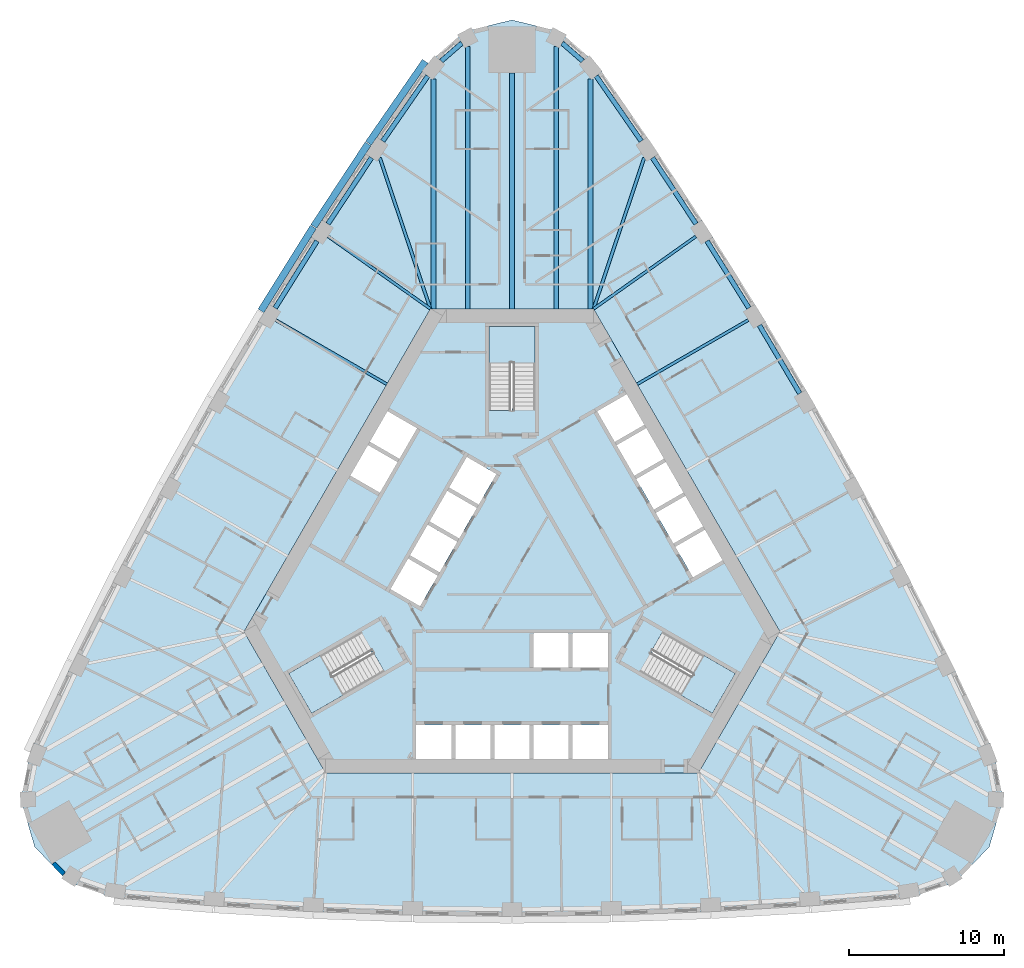
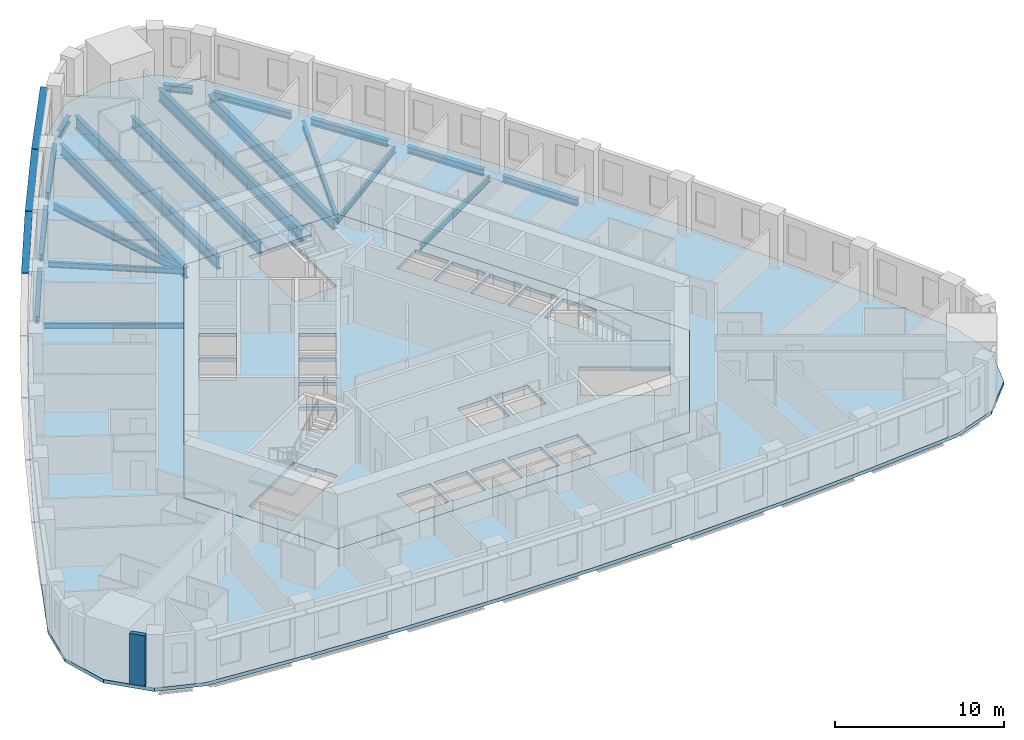
# One storey, part 2 of 13: 20 beams, 5 slabs, 3 members, 1 wall, 3 elements without a shape of their own.
"""IFC4 building model written with IfcOpenShell, lengths in metres."""

from ifc_helpers import new_model, si_unit, direction, frame, frame_2d, origin, origin_2d, place, context, subcontext, project, spatial, polyline, rectangle, i_section, outline, extrude, material, layer, layer_set, material_profile, profile_set, type_object, element, aggregate, save


model = new_model("IFC4")

# Units and contexts
model_context = context("Model", 3, precision=1e-05, world=origin(), true_north=direction((0.0, 1.0)))
body_context = subcontext(model_context, "Body", "Model", "MODEL_VIEW")
ifc_project = project(units=[si_unit("LENGTHUNIT", "METRE"), si_unit("AREAUNIT", "SQUARE_METRE"), si_unit("VOLUMEUNIT", "CUBIC_METRE"), si_unit("PLANEANGLEUNIT", "RADIAN"), si_unit("MASSUNIT", "GRAM", prefix="KILO")], contexts=[model_context])

# Site, building, storey
site_placement = place(None, origin())
site = spatial("IfcSite", under=ifc_project, at=site_placement, CompositionType="ELEMENT")
building_placement = place(site_placement, origin())
building = spatial("IfcBuilding", under=site, at=building_placement, Name="Mestral Congress Tower", CompositionType="ELEMENT")
storey_placement = place(building_placement, frame((0.0, 0.0, 91.5)))
storey = spatial("IfcBuildingStorey", under=building, at=storey_placement, Name="L21", CompositionType="ELEMENT", Elevation=91.5)

# Members
ifc_material_1 = material(Name="Glazed ceramic", Category="masonry")
ifc_material_profile_1 = material_profile(ifc_material_1, rectangle(XDim=0.449951171875, YDim=0.06005859375, at=origin_2d()), Name="Ceramic blade 450 x 60")
ifc_profile_set_1 = profile_set([ifc_material_profile_1], Name="Glazed ceramic")
member_type = type_object("IfcMemberType", Name="Facade sunshade blade 450 x 60", PredefinedType="USERDEFINED", material=ifc_profile_set_1)
member_placement = place(storey_placement, frame((-5.590576171875, 32.8505859375, 3.280029296875), z_axis=(-0.569144736399, -0.822237355652, 0.0), x_axis=(0.822237355652, -0.569144736399, 0.0)))
element("IfcMember", 1, at=member_placement, inside=storey, type_object=member_type, Name="Sunshade F2-00", ObjectType="SUNSHADE", PredefinedType="USERDEFINED", context=body_context, shape_type="SweptSolid", body=[
    extrude(rectangle(XDim=0.449951171875, YDim=0.06005859375, at=origin_2d()), origin(), (0.0, 0.0, 1.0), 6.421630859375),
])
for number, where, z_axis, x_axis, name in (
    (2, (-9.2705078125, 27.532958984375, 3.280029296875), (-0.549764307833, -0.835319822483, 0.0), (0.835319822483, -0.549764307833, 0.0), "Sunshade F2-01"),
    (3, (-12.797119140625, 22.173583984375, 3.280029296875), (-0.530060946156, -0.847959547007, 0.0), (0.847959547007, -0.530060946156, 0.0), "Sunshade F2-02"),
):
    element("IfcMember", number, at=place(storey_placement, frame(where, z_axis=z_axis, x_axis=x_axis)), inside=storey, type_object=member_type, Name=name, ObjectType="SUNSHADE", PredefinedType="USERDEFINED", context=body_context, shape_type="SweptSolid", body=[
        extrude(rectangle(XDim=0.449951171875, YDim=0.06005859375, at=origin_2d()), origin(), (0.0, 0.0, 1.0), 6.370361328125),
    ])

# Beams
ifc_material_2 = material(Name="Steel S355", Category="steel")
ifc_material_profile_2 = material_profile(ifc_material_2, i_section(OverallWidth=0.300048828125, OverallDepth=0.800048828125, WebThickness=0.017578125, FlangeThickness=0.032958984375, FilletRadius=0.030029296875, at=origin_2d()), Name="HEB 800")
ifc_profile_set_2 = profile_set([ifc_material_profile_2], Name="Steel S355")
beam_type_1 = type_object("IfcBeamType", Name="Floor beam HEB 800 S355", PredefinedType="BEAM", material=ifc_profile_set_2)
beam_1_placement = place(storey_placement, frame((5.056396484375, 31.72412109375, -0.64990234375), z_axis=(0.0, -1.0, 0.0), x_axis=(1.0, 0.0, 0.0)))
element("IfcBeam", 4, at=beam_1_placement, inside=storey, type_object=beam_type_1, Name="BM-L21-RB2-E08", PredefinedType="BEAM", context=body_context, shape_type="SweptSolid", body=[
    extrude(i_section(OverallWidth=0.300048828125, OverallDepth=0.800048828125, WebThickness=0.017578125, FlangeThickness=0.032958984375, FilletRadius=0.030029296875, at=origin_2d()), origin(), (0.0, 0.0, 1.0), 14.82421875),
])
beam_2_placement = place(storey_placement, frame((0.0, 32.098388671875, -0.64990234375), z_axis=(0.0, -1.0, 0.0), x_axis=(1.0, 0.0, 0.0)))
element("IfcBeam", 5, at=beam_2_placement, inside=storey, type_object=beam_type_1, Name="BM-L21-RB2-N", PredefinedType="BEAM", context=body_context, shape_type="SweptSolid", body=[
    extrude(i_section(OverallWidth=0.300048828125, OverallDepth=0.800048828125, WebThickness=0.017578125, FlangeThickness=0.032958984375, FilletRadius=0.030029296875, at=origin_2d()), origin(), (0.0, 0.0, 1.0), 15.198486328125),
])
beam_3_placement = place(storey_placement, frame((-5.056396484375, 31.72412109375, -0.64990234375), z_axis=(0.0, -1.0, 0.0), x_axis=(1.0, 0.0, 0.0)))
element("IfcBeam", 6, at=beam_3_placement, inside=storey, type_object=beam_type_1, Name="BM-L21-RB2-W00", PredefinedType="BEAM", context=body_context, shape_type="SweptSolid", body=[
    extrude(i_section(OverallWidth=0.300048828125, OverallDepth=0.800048828125, WebThickness=0.017578125, FlangeThickness=0.032958984375, FilletRadius=0.030029296875, at=origin_2d()), origin(), (0.0, 0.0, 1.0), 14.82421875),
])
ifc_material_profile_3 = material_profile(ifc_material_2, i_section(OverallWidth=0.300048828125, OverallDepth=0.89990234375, WebThickness=0.0185546875, FlangeThickness=0.034912109375, FilletRadius=0.030029296875, at=origin_2d()), Name="HEB 900")
ifc_profile_set_3 = profile_set([ifc_material_profile_3], Name="Steel S355")
beam_type_2 = type_object("IfcBeamType", Name="Floor beam HEB 900 S355", PredefinedType="BEAM", material=ifc_profile_set_3)
for number, where, z_axis, x_axis, name in (
    (7, (2.845703125, 33.794189453125, -0.699951171875), (0.0, -1.0, 0.0), (1.0, 0.0, 0.0), "BM-L21-RB2-N1"),
    (8, (-2.845703125, 33.794189453125, -0.699951171875), (0.0, -1.0, 0.0), (1.0, 0.0, 0.0), "BM-L21-RB2-N3"),
):
    element("IfcBeam", number, at=place(storey_placement, frame(where, z_axis=z_axis, x_axis=x_axis)), inside=storey, type_object=beam_type_2, Name=name, PredefinedType="BEAM", context=body_context, shape_type="SweptSolid", body=[
        extrude(i_section(OverallWidth=0.300048828125, OverallDepth=0.89990234375, WebThickness=0.0185546875, FlangeThickness=0.034912109375, FilletRadius=0.030029296875, at=origin_2d()), origin(), (0.0, 0.0, 1.0), 16.894287109375),
    ])
ifc_material_profile_4 = material_profile(ifc_material_2, i_section(OverallWidth=0.179931640625, OverallDepth=0.39990234375, WebThickness=0.008544921875, FlangeThickness=0.013427734375, FilletRadius=0.02099609375, at=origin_2d()), Name="IPE 400")
ifc_profile_set_4 = profile_set([ifc_material_profile_4], Name="Steel S355")
beam_type_3 = type_object("IfcBeamType", Name="Floor beam IPE 400 S355", PredefinedType="BEAM", material=ifc_profile_set_4)
beam_4_placement = place(storey_placement, frame((15.219482421875, 16.176513671875, -0.449951171875), z_axis=(-0.866015952286, -0.500016370119, 0.0), x_axis=(0.500016370119, -0.866015952286, 0.0)))
element("IfcBeam", 9, at=beam_4_placement, inside=storey, type_object=beam_type_3, Name="BM-L21-RB2-E05", PredefinedType="BEAM", context=body_context, shape_type="SweptSolid", body=[
    extrude(i_section(OverallWidth=0.179931640625, OverallDepth=0.39990234375, WebThickness=0.008544921875, FlangeThickness=0.013427734375, FilletRadius=0.02099609375, at=origin_2d()), origin(), (0.0, 0.0, 1.0), 8.268798828125),
])
for number, where, z_axis, x_axis, name in (
    (10, (11.849365234375, 21.568115234375, -0.449951171875), (-0.816232852676, -0.577723056673, 0.0), (0.577723056673, -0.816232852676, 0.0), "BM-L21-RB2-E06"),
    (11, (-11.849365234375, 21.568115234375, -0.449951171875), (0.816232852676, -0.577723056673, 0.0), (0.577723056673, 0.816232852676, 0.0), "BM-L21-RB2-W02"),
):
    element("IfcBeam", number, at=place(storey_placement, frame(where, z_axis=z_axis, x_axis=x_axis)), inside=storey, type_object=beam_type_3, Name=name, PredefinedType="BEAM", context=body_context, shape_type="SweptSolid", body=[
        extrude(i_section(OverallWidth=0.179931640625, OverallDepth=0.39990234375, WebThickness=0.008544921875, FlangeThickness=0.013427734375, FilletRadius=0.02099609375, at=origin_2d()), origin(), (0.0, 0.0, 1.0), 8.080322265625),
    ])
beam_5_placement = place(storey_placement, frame((-15.219482421875, 16.176513671875, -0.449951171875), z_axis=(0.866015952286, -0.500016370119, 0.0), x_axis=(0.500016370119, 0.866015952286, 0.0)))
element("IfcBeam", 12, at=beam_5_placement, inside=storey, type_object=beam_type_3, Name="BM-L21-RB2-W03", PredefinedType="BEAM", context=body_context, shape_type="SweptSolid", body=[
    extrude(i_section(OverallWidth=0.179931640625, OverallDepth=0.39990234375, WebThickness=0.008544921875, FlangeThickness=0.013427734375, FilletRadius=0.02099609375, at=origin_2d()), origin(), (0.0, 0.0, 1.0), 8.268798828125),
])
ifc_material_profile_5 = material_profile(ifc_material_2, i_section(OverallWidth=0.199951171875, OverallDepth=0.5, WebThickness=0.01025390625, FlangeThickness=0.01611328125, FilletRadius=0.02099609375, at=origin_2d()), Name="IPE 500")
ifc_profile_set_5 = profile_set([ifc_material_profile_5], Name="Steel S355")
beam_type_4 = type_object("IfcBeamType", Name="Floor beam IPE 500 S355", PredefinedType="BEAM", material=ifc_profile_set_5)
for number, where, z_axis, x_axis, name in (
    (13, (8.5185546875, 26.636962890625, -0.5), (-0.317888994992, -0.948127938025, 0.0), (0.948127938025, -0.317888994992, 0.0), "BM-L21-RB2-E07"),
    (14, (-8.5185546875, 26.636962890625, -0.5), (0.317888994992, -0.948127938025, 0.0), (0.948127938025, 0.317888994992, 0.0), "BM-L21-RB2-W01"),
):
    element("IfcBeam", number, at=place(storey_placement, frame(where, z_axis=z_axis, x_axis=x_axis)), inside=storey, type_object=beam_type_4, Name=name, PredefinedType="BEAM", context=body_context, shape_type="SweptSolid", body=[
        extrude(i_section(OverallWidth=0.199951171875, OverallDepth=0.5, WebThickness=0.01025390625, FlangeThickness=0.01611328125, FilletRadius=0.02099609375, at=origin_2d()), origin(), (0.0, 0.0, 1.0), 10.269775390625),
    ])
ifc_material_profile_6 = material_profile(ifc_material_2, i_section(OverallWidth=0.300048828125, OverallDepth=0.489990234375, WebThickness=0.011962890625, FlangeThickness=0.02294921875, FilletRadius=0.027099609375, at=origin_2d()), Name="HEA 500")
ifc_profile_set_6 = profile_set([ifc_material_profile_6], Name="Steel S355")
beam_type_5 = type_object("IfcBeamType", Name="Spandrel beam HEA 500 S355", PredefinedType="BEAM", material=ifc_profile_set_6)
for number, where, z_axis, x_axis, name in (
    (15, (18.542236328125, 11.455810546875, -0.4951171875), (-0.510081870963, 0.860125854114, 0.0), (-0.860125854114, -0.510081870963, 0.0), "SP-L21-SB2-E04"),
    (16, (15.2646484375, 16.95263671875, -0.4951171875), (-0.530046273959, 0.847968718446, 0.0), (-0.847968718446, -0.530046273959, 0.0), "SP-L21-SB2-E05"),
):
    element("IfcBeam", number, at=place(storey_placement, frame(where, z_axis=z_axis, x_axis=x_axis)), inside=storey, type_object=beam_type_5, Name=name, PredefinedType="BEAM", context=body_context, shape_type="SweptSolid", body=[
        extrude(i_section(OverallWidth=0.300048828125, OverallDepth=0.489990234375, WebThickness=0.011962890625, FlangeThickness=0.02294921875, FilletRadius=0.027099609375, at=origin_2d()), origin(), (0.0, 0.0, 1.0), 5.099853515625),
    ])
beam_6_placement = place(storey_placement, frame((11.859619140625, 22.371337890625, -0.4951171875), z_axis=(-0.549729920898, 0.835342453171, 0.0), x_axis=(-0.835342453171, -0.549729920898, 0.0)))
element("IfcBeam", 17, at=beam_6_placement, inside=storey, type_object=beam_type_5, Name="SP-L21-SB2-E06", PredefinedType="BEAM", context=body_context, shape_type="SweptSolid", body=[
    extrude(i_section(OverallWidth=0.300048828125, OverallDepth=0.489990234375, WebThickness=0.011962890625, FlangeThickness=0.02294921875, FilletRadius=0.027099609375, at=origin_2d()), origin(), (0.0, 0.0, 1.0), 5.099609375),
])
beam_7_placement = place(storey_placement, frame((8.32861328125, 27.708740234375, -0.4951171875), z_axis=(-0.569105377225, 0.822264598298, 0.0), x_axis=(-0.822264598298, -0.569105377225, 0.0)))
element("IfcBeam", 18, at=beam_7_placement, inside=storey, type_object=beam_type_5, Name="SP-L21-SB2-E07", PredefinedType="BEAM", context=body_context, shape_type="SweptSolid", body=[
    extrude(i_section(OverallWidth=0.300048828125, OverallDepth=0.489990234375, WebThickness=0.011962890625, FlangeThickness=0.02294921875, FilletRadius=0.027099609375, at=origin_2d()), origin(), (0.0, 0.0, 1.0), 5.09765625),
])
for number, where, z_axis, x_axis, name in (
    (19, (4.558349609375, 32.869140625, -0.4951171875), (-0.754917058401, 0.655820276398, 0.0), (-0.655820276398, -0.754917058401, 0.0), "SP-L21-SB2-E08"),
    (20, (-3.234130859375, 34.01953125, -0.4951171875), (-0.754917058401, -0.655820276398, 0.0), (0.655820276398, -0.754917058401, 0.0), "SP-L21-SB2-N3"),
):
    element("IfcBeam", number, at=place(storey_placement, frame(where, z_axis=z_axis, x_axis=x_axis)), inside=storey, type_object=beam_type_5, Name=name, PredefinedType="BEAM", context=body_context, shape_type="SweptSolid", body=[
        extrude(i_section(OverallWidth=0.300048828125, OverallDepth=0.489990234375, WebThickness=0.011962890625, FlangeThickness=0.02294921875, FilletRadius=0.027099609375, at=origin_2d()), origin(), (0.0, 0.0, 1.0), 1.754150390625),
    ])
beam_8_placement = place(storey_placement, frame((-5.427490234375, 31.900390625, -0.4951171875), z_axis=(-0.569105377225, -0.822264598298, 0.0), x_axis=(0.822264598298, -0.569105377225, 0.0)))
element("IfcBeam", 21, at=beam_8_placement, inside=storey, type_object=beam_type_5, Name="SP-L21-SB2-W00", PredefinedType="BEAM", context=body_context, shape_type="SweptSolid", body=[
    extrude(i_section(OverallWidth=0.300048828125, OverallDepth=0.489990234375, WebThickness=0.011962890625, FlangeThickness=0.02294921875, FilletRadius=0.027099609375, at=origin_2d()), origin(), (0.0, 0.0, 1.0), 5.09765625),
])
beam_9_placement = place(storey_placement, frame((-9.05615234375, 26.63134765625, -0.4951171875), z_axis=(-0.549729920898, -0.835342453171, 0.0), x_axis=(0.835342453171, -0.549729920898, 0.0)))
element("IfcBeam", 22, at=beam_9_placement, inside=storey, type_object=beam_type_5, Name="SP-L21-SB2-W01", PredefinedType="BEAM", context=body_context, shape_type="SweptSolid", body=[
    extrude(i_section(OverallWidth=0.300048828125, OverallDepth=0.489990234375, WebThickness=0.011962890625, FlangeThickness=0.02294921875, FilletRadius=0.027099609375, at=origin_2d()), origin(), (0.0, 0.0, 1.0), 5.099609375),
])
beam_10_placement = place(storey_placement, frame((-12.5615234375, 21.277099609375, -0.4951171875), z_axis=(-0.530046273959, -0.847968718446, 0.0), x_axis=(0.847968718446, -0.530046273959, 0.0)))
element("IfcBeam", 23, at=beam_10_placement, inside=storey, type_object=beam_type_5, Name="SP-L21-SB2-W02", PredefinedType="BEAM", context=body_context, shape_type="SweptSolid", body=[
    extrude(i_section(OverallWidth=0.300048828125, OverallDepth=0.489990234375, WebThickness=0.011962890625, FlangeThickness=0.02294921875, FilletRadius=0.027099609375, at=origin_2d()), origin(), (0.0, 0.0, 1.0), 5.099853515625),
])

# Slabs
ifc_material_3 = material(Name="Concrete C35/45", Category="concrete")
ifc_layer_1 = layer(ifc_material_3, 0.25)
ifc_layer_set_1 = layer_set([ifc_layer_1], Name="Concrete C35/45")
slab_type_1 = type_object("IfcSlabType", Name="Composite floor slab 250", PredefinedType="FLOOR", material=ifc_layer_set_1)
placement_1 = place(storey_placement, frame((0.0, 0.0, -0.25)))
element("IfcSlab", 24, at=placement_1, inside=storey, type_object=slab_type_1, Name="SL-L21", PredefinedType="FLOOR", context=body_context, shape_type="SweptSolid", body=[
    extrude(outline(polyline([(-25.656005859375, -21.041015625), (-28.581298828125, -20.03271484375), (-30.75390625, -17.755859375), (-31.639404296875, -14.73583984375), (-31.050048828125, -11.697998046875), (-28.28759765625, -5.856689453125), (-25.412109375, -0.12744140625), (-22.403564453125, 5.533203125), (-19.263671875, 11.121826171875), (-15.99365234375, 16.635498046875), (-12.595703125, 22.0712890625), (-9.07177734375, 27.426025390625), (-5.39404296875, 32.739013671875), (-3.05810546875, 34.768310546875), (0.0, 35.51171875), (3.05810546875, 34.768310546875), (5.39404296875, 32.739013671875), (9.07177734375, 27.426025390625), (12.595703125, 22.0712890625), (15.99365234375, 16.635498046875), (19.263671875, 11.121826171875), (22.403564453125, 5.533203125), (25.412109375, -0.12744140625), (28.28759765625, -5.856689453125), (31.050048828125, -11.697998046875), (31.639404296875, -14.73583984375), (30.75390625, -17.755859375), (28.581298828125, -20.03271484375), (25.656005859375, -21.041015625), (19.2158203125, -21.5693359375), (12.81640625, -21.94384765625), (6.409912109375, -22.168701171875), (0.0, -22.24365234375), (-6.409912109375, -22.168701171875), (-12.81640625, -21.94384765625), (-19.2158203125, -21.5693359375), (-25.656005859375, -21.041015625)]), holes=[polyline([(-5.25390625, 16.89990234375), (-17.2626953125, -3.89990234375), (-12.0087890625, -13.0), (12.0087890625, -13.0), (17.2626953125, -3.89990234375), (5.25390625, 16.89990234375), (-5.25390625, 16.89990234375)])]), origin(), (0.0, 0.0, 1.0), 0.25),
])
ifc_material_4 = material(Name="Concrete C60/75", Category="concrete")
ifc_layer_2 = layer(ifc_material_4, 0.25)
ifc_layer_set_2 = layer_set([ifc_layer_2], Name="Concrete C60/75")
slab_type_2 = type_object("IfcSlabType", Name="Core floor slab RC 250", PredefinedType="FLOOR", material=ifc_layer_set_2)
element("IfcSlab", 25, at=placement_1, inside=storey, type_object=slab_type_2, Name="L21 core floor", PredefinedType="FLOOR", context=body_context, shape_type="SweptSolid", body=[
    extrude(outline(polyline([(12.0087890625, -13.0), (-12.0087890625, -13.0), (-17.2626953125, -3.89990234375), (-5.25390625, 16.89990234375), (5.25390625, 16.89990234375), (17.2626953125, -3.89990234375), (12.0087890625, -13.0)]), holes=[polyline([(-3.905029296875, -9.89990234375), (-6.175048828125, -9.89990234375), (-6.175048828125, -12.10009765625), (-3.905029296875, -12.10009765625), (-3.905029296875, -9.89990234375)]), polyline([(-1.385009765625, -9.89990234375), (-3.655029296875, -9.89990234375), (-3.655029296875, -12.10009765625), (-1.385009765625, -12.10009765625), (-1.385009765625, -9.89990234375)]), polyline([(1.135009765625, -9.89990234375), (-1.135009765625, -9.89990234375), (-1.135009765625, -12.10009765625), (1.135009765625, -12.10009765625), (1.135009765625, -9.89990234375)]), polyline([(-9.0673828125, -5.235107421875), (-9.8046875, -3.95751953125), (-14.37744140625, -6.59765625), (-12.90234375, -9.15234375), (-8.234619140625, -6.45751953125), (-8.971923828125, -5.179931640625), (-9.0673828125, -5.235107421875)]), polyline([(-7.826904296875, -1.156494140625), (-5.921630859375, -2.256591796875), (-4.78662109375, -0.29052734375), (-6.69189453125, 0.809326171875), (-7.826904296875, -1.156494140625)]), polyline([(-4.66162109375, -0.07421875), (-3.526611328125, 1.8916015625), (-5.431884765625, 2.99169921875), (-6.56689453125, 1.02587890625), (-4.66162109375, -0.07421875)]), polyline([(-3.401611328125, 2.1083984375), (-2.2666015625, 4.07421875), (-4.171875, 5.174072265625), (-5.306884765625, 3.208251953125), (-3.401611328125, 2.1083984375)]), polyline([(-2.1416015625, 4.29052734375), (-1.006591796875, 6.256591796875), (-2.911865234375, 7.3564453125), (-4.046875, 5.390625), (-2.1416015625, 4.29052734375)]), polyline([(-10.41650390625, 6.158203125), (-8.51123046875, 5.058349609375), (-7.376220703125, 7.024169921875), (-9.281494140625, 8.1240234375), (-10.41650390625, 6.158203125)]), polyline([(-9.156494140625, 8.340576171875), (-7.251220703125, 7.240478515625), (-6.1162109375, 9.20654296875), (-8.021484375, 10.306396484375), (-9.156494140625, 8.340576171875)]), polyline([(1.47509765625, 10.469970703125), (1.47509765625, 15.75), (-1.47509765625, 15.75), (-1.47509765625, 10.360107421875), (0.0, 10.360107421875), (0.0, 10.469970703125), (1.47509765625, 10.469970703125)]), polyline([(3.655029296875, -9.89990234375), (1.385009765625, -9.89990234375), (1.385009765625, -12.10009765625), (3.655029296875, -12.10009765625), (3.655029296875, -9.89990234375)]), polyline([(6.175048828125, -9.89990234375), (3.905029296875, -9.89990234375), (3.905029296875, -12.10009765625), (6.175048828125, -12.10009765625), (6.175048828125, -9.89990234375)]), polyline([(9.0673828125, -5.235107421875), (8.329833984375, -6.512451171875), (12.90234375, -9.15234375), (14.37744140625, -6.59765625), (9.70947265625, -3.902587890625), (8.971923828125, -5.179931640625), (9.0673828125, -5.235107421875)]), polyline([(3.655029296875, -6.199951171875), (3.655029296875, -4.0), (1.385009765625, -4.0), (1.385009765625, -6.199951171875), (3.655029296875, -6.199951171875)]), polyline([(6.175048828125, -4.0), (3.905029296875, -4.0), (3.905029296875, -6.199951171875), (6.175048828125, -6.199951171875), (6.175048828125, -4.0)]), polyline([(12.431396484375, 2.668212890625), (10.526123046875, 1.568115234375), (11.6611328125, -0.397705078125), (13.56640625, 0.702392578125), (12.431396484375, 2.668212890625)]), polyline([(11.17138671875, 4.8505859375), (9.26611328125, 3.75048828125), (10.401123046875, 1.78466796875), (12.306396484375, 2.884765625), (11.17138671875, 4.8505859375)]), polyline([(8.006103515625, 5.932861328125), (9.14111328125, 3.967041015625), (11.04638671875, 5.067138671875), (9.911376953125, 7.032958984375), (8.006103515625, 5.932861328125)]), polyline([(8.6513671875, 9.21533203125), (6.74609375, 8.115234375), (7.881103515625, 6.1494140625), (9.786376953125, 7.24951171875), (8.6513671875, 9.21533203125)]), polyline([(7.391357421875, 11.397705078125), (5.486083984375, 10.297607421875), (6.62109375, 8.331787109375), (8.5263671875, 9.431884765625), (7.391357421875, 11.397705078125)])]), origin(), (0.0, 0.0, 1.0), 0.25),
])

# Stair, slab
stair_type = type_object("IfcStairType", Name="Exit stair 1400", PredefinedType="HALF_TURN_STAIR", material=ifc_material_4)
placement_2 = place(storey_placement, origin())
stair_1 = element("IfcStair", 26, at=placement_2, inside=storey, type_object=stair_type, Name="L21 ST1", PredefinedType="HALF_TURN_STAIR")
ifc_layer_3 = layer(ifc_material_4, 0.199951171875)
ifc_layer_set_3 = layer_set([ifc_layer_3], Name="Concrete C60/75")
slab_type_3 = type_object("IfcSlabType", Name="Exit stair landing 200", PredefinedType="LANDING", material=ifc_layer_set_3)
placement_3 = place(storey_placement, frame((0.0, 0.0, 1.75)))
slab_3 = element("IfcSlab", 27, at=placement_3, type_object=slab_type_3, Name="ST1 landing 1", PredefinedType="LANDING", context=body_context, shape_type="SweptSolid", body=[
    extrude(outline(polyline([(10.879638671875, -7.99609375), (12.364501953125, -5.424072265625), (14.39111328125, -6.593994140625), (12.906005859375, -9.166015625), (10.879638671875, -7.99609375)])), origin(), (0.0, 0.0, 1.0), 0.199951171875),
])
aggregate(stair_1, [slab_3])

stair_2 = element("IfcStair", 28, at=placement_2, inside=storey, type_object=stair_type, Name="L21 ST2", PredefinedType="HALF_TURN_STAIR")
slab_4 = element("IfcSlab", 29, at=placement_3, type_object=slab_type_3, Name="ST2 landing 1", PredefinedType="LANDING", context=body_context, shape_type="SweptSolid", body=[
    extrude(outline(polyline([(1.485107421875, 13.419921875), (-1.485107421875, 13.419921875), (-1.485107421875, 15.760009765625), (1.485107421875, 15.760009765625), (1.485107421875, 13.419921875)])), origin(), (0.0, 0.0, 1.0), 0.199951171875),
])
aggregate(stair_2, [slab_4])

stair_3 = element("IfcStair", 30, at=placement_2, inside=storey, type_object=stair_type, Name="L21 ST3", PredefinedType="HALF_TURN_STAIR")
slab_5 = element("IfcSlab", 31, at=placement_3, type_object=slab_type_3, Name="ST3 landing 1", PredefinedType="LANDING", context=body_context, shape_type="SweptSolid", body=[
    extrude(outline(polyline([(-12.364501953125, -5.424072265625), (-10.879638671875, -7.99609375), (-12.906005859375, -9.166015625), (-14.39111328125, -6.593994140625), (-12.364501953125, -5.424072265625)])), origin(), (0.0, 0.0, 1.0), 0.199951171875),
])
aggregate(stair_3, [slab_5])

# Wall
ifc_material_5 = material(Name="Precast concrete C40/50 with limestone facing", Category="masonry")
ifc_layer_4 = layer(ifc_material_5, 0.2900390625)
ifc_layer_set_4 = layer_set([ifc_layer_4], Name="Precast concrete C40/50 with limestone facing")
wall_type = type_object("IfcWallType", Name="Facade stone wall 290", PredefinedType="SOLIDWALL", material=ifc_layer_set_4)
wall_placement = place(storey_placement, frame((-29.5341796875, -18.82421875, 0.0), z_axis=(0.0, 0.0, 1.0), x_axis=(0.690414427296, -0.723414071319, 0.0)))
element("IfcWall", 32, at=wall_placement, inside=storey, type_object=wall_type, Name="Facade wall K2-2", PredefinedType="SOLIDWALL", context=body_context, shape_type="SweptSolid", body=[
    extrude(rectangle(XDim=0.947021484375, YDim=0.2900390625, at=frame_2d((0.4736328125, 0.0))), origin(), (0.0, 0.0, 1.0), 3.64990234375),
])

save(model, "model.ifc")
